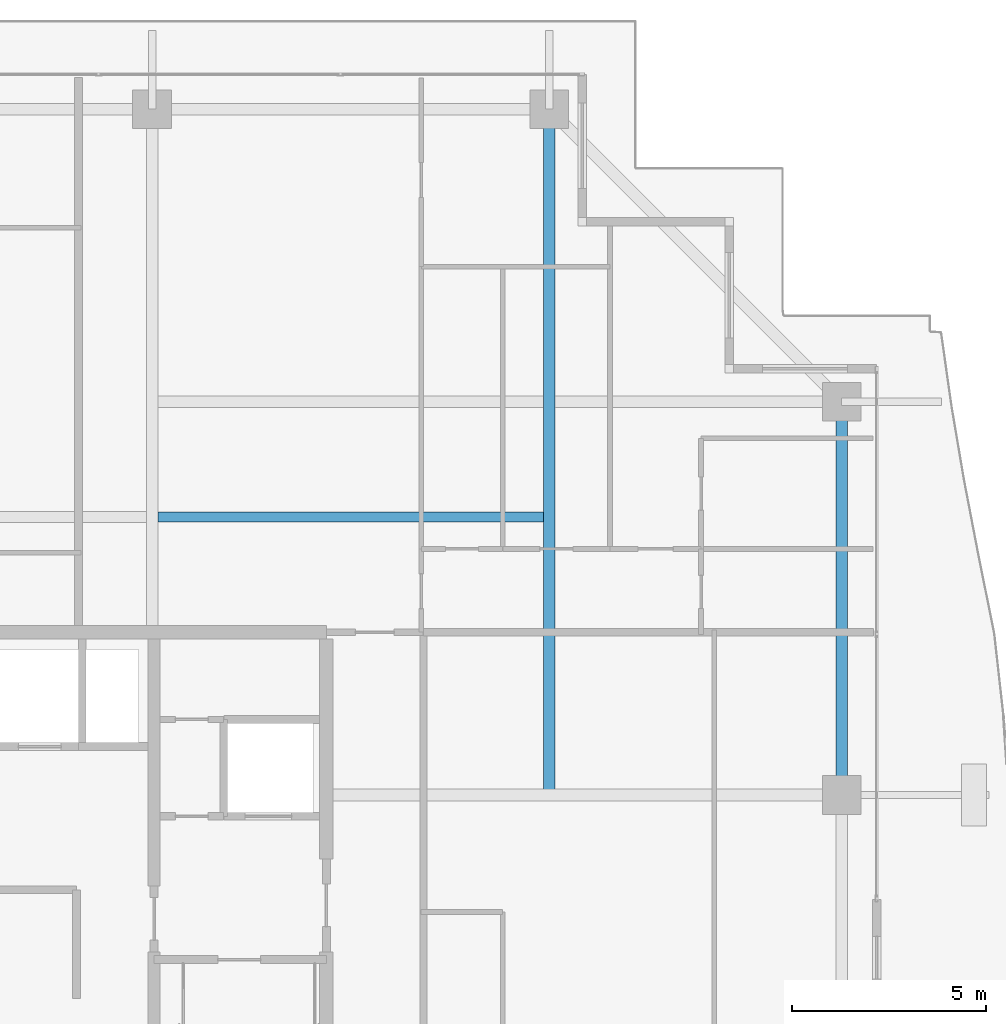
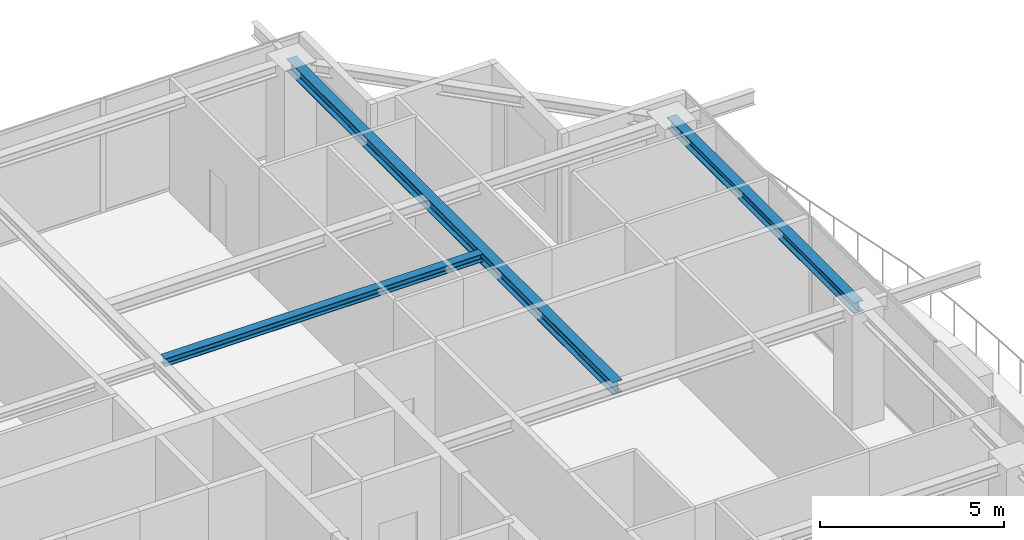
# One storey, part 25 of 42: 3 beams.
"""IFC4 building model written with IfcOpenShell, lengths in metres."""

import ifcopenshell
import ifcopenshell.guid

model = None  # the IFC model being written
_history = None  # IfcOwnerHistory: only IFC2X3 demands one
_inside = {}  # id of a spatial element -> (the spatial element, [elements in it])
_under = {}  # id of a project, library or spatial element -> (it, [spatial elements below it])
_declared = {}  # id of a project -> (the project, [libraries it declares])
_typed = {}  # id of a type object -> (the type object, [elements of that type])
_made_of = {}  # id of a material, layer set ... -> (it, [elements and type objects made of it])


def new_model(schema):
    """Start an empty IFC model of exactly this schema.

    Asked for "IFC4X3", IfcOpenShell would pick the latest addendum, in which some entities
    have other attributes; the version numbers below select the first issue.
    IFC2X3 requires an IfcOwnerHistory on every rooted entity: one is made here for all.
    """
    global model, _history
    if schema == "IFC4X3":
        model = ifcopenshell.file(schema_version=(4, 3, 0, 0))
    else:
        model = ifcopenshell.file(schema=schema)
    _inside.clear()
    _under.clear()
    _declared.clear()
    _typed.clear()
    _made_of.clear()
    _history = None
    if model.schema == "IFC2X3":
        org = make("IfcOrganization", Name="unknown")
        user = make(
            "IfcPersonAndOrganization",
            ThePerson=make("IfcPerson", FamilyName="unknown"),
            TheOrganization=org,
        )
        app = make(
            "IfcApplication",
            ApplicationDeveloper=org,
            Version="unknown",
            ApplicationFullName="unknown",
            ApplicationIdentifier="unknown",
        )
        _history = make(
            "IfcOwnerHistory",
            OwningUser=user,
            OwningApplication=app,
            ChangeAction="ADDED",
            CreationDate=0,
        )
    return model


def make(cls, **values):
    """One entity of the class cls with the attributes given. An attribute that is None is left unset."""
    return model.create_entity(
        cls, **{name: value for name, value in values.items() if value is not None}
    )


def rooted(cls, **values):
    """An entity with a GlobalId (a new one), such as an element, a storey or a relation."""
    return make(cls, GlobalId=ifcopenshell.guid.new(), OwnerHistory=_history, **values)


def si_unit(unit_type, name, prefix=None):
    """IfcSIUnit, for example si_unit("LENGTHUNIT", "METRE", prefix="MILLI")."""
    return make("IfcSIUnit", UnitType=unit_type, Prefix=prefix, Name=name)


def assignment(units):
    """IfcUnitAssignment: the units of a project."""
    return None if units is None else make("IfcUnitAssignment", Units=units)


def point(xyz):
    """IfcCartesianPoint."""
    return None if xyz is None else make("IfcCartesianPoint", Coordinates=xyz)


def direction(xyz):
    """IfcDirection."""
    return None if xyz is None else make("IfcDirection", DirectionRatios=xyz)


def frame(location, z_axis=None, x_axis=None):
    """IfcAxis2Placement3D, a coordinate frame: its origin and axes. An axis left out is left unset."""
    return make(
        "IfcAxis2Placement3D",
        Location=point(location),
        Axis=direction(z_axis),
        RefDirection=direction(x_axis),
    )


def frame_2d(location, x_axis=None):
    """IfcAxis2Placement2D, a coordinate frame in the plane: its origin and x axis."""
    return make(
        "IfcAxis2Placement2D", Location=point(location), RefDirection=direction(x_axis)
    )


def origin():
    """The frame at (0, 0, 0) with its axes left unset."""
    return frame((0.0, 0.0, 0.0))


def origin_2d():
    """The frame at (0, 0) in the plane with its x axis left unset."""
    return frame_2d((0.0, 0.0))


def place(relative_to, where):
    """IfcLocalPlacement: puts the frame where relative to a parent placement (None: the world)."""
    return make(
        "IfcLocalPlacement", PlacementRelTo=relative_to, RelativePlacement=where
    )


def context(
    kind, dimensions, precision=None, world=None, true_north=None, identifier=None
):
    """IfcGeometricRepresentationContext, for example the 3D "Model" context."""
    return make(
        "IfcGeometricRepresentationContext",
        ContextIdentifier=identifier,
        ContextType=kind,
        CoordinateSpaceDimension=dimensions,
        Precision=precision,
        WorldCoordinateSystem=world,
        TrueNorth=true_north,
    )


def subcontext(parent, identifier, kind, view, scale=None):
    """IfcGeometricRepresentationSubContext, for example "Body" below "Model"."""
    return make(
        "IfcGeometricRepresentationSubContext",
        ContextIdentifier=identifier,
        ContextType=kind,
        ParentContext=parent,
        TargetScale=scale,
        TargetView=view,
    )


def project(units=None, contexts=None):
    """IfcProject with its units and contexts."""
    return rooted(
        "IfcProject",
        Name="project",
        RepresentationContexts=contexts,
        UnitsInContext=assignment(units),
    )


def spatial(cls, under=None, at=None, **own):
    """A site, building, storey or space (cls), placed at a placement, below another one or the project."""
    s = rooted(cls, ObjectPlacement=at, **own)
    if under is not None:
        _under.setdefault(under.id(), (under, []))[1].append(s)
    return s


def profile(cls, at=None, kind="AREA", **sizes):
    """A parametric profile (cls). Its sizes go by their IFC names, for example OverallWidth=200.0."""
    return make(cls, ProfileType=kind, Position=at, **sizes)


def i_section(**sizes):
    """IfcIShapeProfileDef."""
    return profile("IfcIShapeProfileDef", **sizes)


def extrude(swept, where, along, depth):
    """IfcExtrudedAreaSolid: the profile swept, set in the frame where, extruded along a direction by depth."""
    return make(
        "IfcExtrudedAreaSolid",
        SweptArea=swept,
        Position=where,
        ExtrudedDirection=direction(along),
        Depth=depth,
    )


def shape(context_of_items, identifier, shape_type, items):
    """IfcShapeRepresentation: the items that make up one representation, for example the "Body"."""
    return make(
        "IfcShapeRepresentation",
        ContextOfItems=context_of_items,
        RepresentationIdentifier=identifier,
        RepresentationType=shape_type,
        Items=items,
    )


def source(mapping_origin, context_of_items, identifier, shape_type, items):
    """IfcRepresentationMap: a shape defined once, which mapped items show again and again."""
    return make(
        "IfcRepresentationMap",
        MappingOrigin=mapping_origin,
        MappedRepresentation=shape(context_of_items, identifier, shape_type, items),
    )


def transform(
    local_origin,
    x_axis=None,
    y_axis=None,
    z_axis=None,
    scale=None,
    scale2=None,
    scale3=None,
    uniform=True,
):
    """IfcCartesianTransformationOperator3D, or its non-uniform kind. x_axis, y_axis, z_axis: its Axis1, 2, 3."""
    if uniform:
        return make(
            "IfcCartesianTransformationOperator3D",
            Axis1=direction(x_axis),
            Axis2=direction(y_axis),
            LocalOrigin=point(local_origin),
            Scale=scale,
            Axis3=direction(z_axis),
        )
    return make(
        "IfcCartesianTransformationOperator3DnonUniform",
        Axis1=direction(x_axis),
        Axis2=direction(y_axis),
        LocalOrigin=point(local_origin),
        Scale=scale,
        Axis3=direction(z_axis),
        Scale2=scale2,
        Scale3=scale3,
    )


def mapped(mapping_source, mapping_target):
    """IfcMappedItem: shows the shape of a source again, moved by a transform."""
    return make(
        "IfcMappedItem", MappingSource=mapping_source, MappingTarget=mapping_target
    )


def material(Name=None, Category=None):
    """IfcMaterial."""
    return make("IfcMaterial", Name=Name, Category=Category)


def material_profile(
    of_material, cross_section, Name=None, Category=None, Priority=None
):
    """IfcMaterialProfile: a cross section and its material."""
    return make(
        "IfcMaterialProfile",
        Name=Name,
        Material=of_material,
        Profile=cross_section,
        Priority=Priority,
        Category=Category,
    )


def profile_set(profiles, Name=None, composite=None):
    """IfcMaterialProfileSet."""
    return make(
        "IfcMaterialProfileSet",
        Name=Name,
        MaterialProfiles=profiles,
        CompositeProfile=composite,
    )


def made_of(thing, what):
    """Note that an element or type object is made of a material, layer set ...; save() writes the relation."""
    if what is not None:
        _made_of.setdefault(what.id(), (what, []))[1].append(thing)
    return thing


def type_object(cls, material=None, **own):
    """A type object (cls), such as IfcWallType, which elements share."""
    return made_of(rooted(cls, **own), material)


def element(
    cls,
    number,
    at=None,
    inside=None,
    cuts=None,
    type_object=None,
    material=None,
    context=None,
    identifier="Body",
    shape_type=None,
    held_by="IfcProductDefinitionShape",
    body=None,
    shapes=None,
    **own,
):
    """One element of the class cls, such as IfcWall. Its Tag is "e" and its number.

    at: its placement. inside: the storey or other place that contains it. cuts: it is an
    opening in that element (IfcRelVoidsElement). A single representation is given by context,
    identifier, shape_type and body (its items); several are given by shapes. held_by: the class
    of the entity that holds the representations. save() writes the other relations.
    """
    e = rooted(cls, Tag="e%d" % number, ObjectPlacement=at, **own)
    if body is not None:
        shapes = [shape(context, identifier, shape_type, body)]
    if shapes is not None:
        e.Representation = make(held_by, Representations=shapes)
    if inside is not None:
        _inside.setdefault(inside.id(), (inside, []))[1].append(e)
    if cuts is not None:
        rooted(
            "IfcRelVoidsElement", RelatingBuildingElement=cuts, RelatedOpeningElement=e
        )
    if type_object is not None:
        _typed.setdefault(type_object.id(), (type_object, []))[1].append(e)
    return made_of(e, material)


def aggregate(whole, parts):
    """IfcRelAggregates: a whole, such as a stair, and the parts it consists of."""
    return rooted("IfcRelAggregates", RelatingObject=whole, RelatedObjects=parts)


def save(model, path):
    """Write the relations noted so far, then the file.

    IfcRelAggregates (storeys below a building ...), IfcRelContainedInSpatialStructure (elements
    in a storey), IfcRelDefinesByType, IfcRelAssociatesMaterial and IfcRelDeclares: one each for
    every whole, place, type object, material and project.
    """
    for whole, parts in _under.values():
        aggregate(whole, parts)
    for where, things in _inside.values():
        rooted(
            "IfcRelContainedInSpatialStructure",
            RelatedElements=things,
            RelatingStructure=where,
        )
    for kind, things in _typed.values():
        rooted("IfcRelDefinesByType", RelatedObjects=things, RelatingType=kind)
    for what, things in _made_of.values():
        rooted("IfcRelAssociatesMaterial", RelatedObjects=things, RelatingMaterial=what)
    for by, libraries in _declared.values():
        rooted("IfcRelDeclares", RelatingContext=by, RelatedDefinitions=libraries)
    model.write(path)


model = new_model("IFC4")

# Units and contexts
model_context = context("Model", 3, precision=1e-05, world=origin(), true_north=direction((0.0, 1.0)))
body_context = subcontext(model_context, "Body", "Model", "MODEL_VIEW")
ifc_project = project(units=[si_unit("LENGTHUNIT", "METRE"), si_unit("AREAUNIT", "SQUARE_METRE"), si_unit("VOLUMEUNIT", "CUBIC_METRE"), si_unit("PLANEANGLEUNIT", "RADIAN"), si_unit("MASSUNIT", "GRAM", prefix="KILO")], contexts=[model_context])

# Site, building, storey
site_placement = place(None, origin())
site = spatial("IfcSite", under=ifc_project, at=site_placement, CompositionType="ELEMENT")
building_placement = place(site_placement, origin())
building = spatial("IfcBuilding", under=site, at=building_placement, Name="Serunith Strait Residences", CompositionType="ELEMENT")
storey_placement = place(building_placement, frame((0.0, 0.0, 293.449951171875)))
storey = spatial("IfcBuildingStorey", under=building, at=storey_placement, Name="L73", CompositionType="ELEMENT", Elevation=293.449951171875)

# Beams
ifc_material = material(Name="Steel S355J2", Category="steel")
ifc_material_profile_1 = material_profile(ifc_material, i_section(OverallWidth=0.300048828125, OverallDepth=0.39990234375, WebThickness=0.013427734375, FlangeThickness=0.02392578125, FilletRadius=0.027099609375, at=origin_2d()), Name="HEB 400")
ifc_profile_set_1 = profile_set([ifc_material_profile_1], Name="Steel S355J2")
beam_type_1 = type_object("IfcBeamType", Name="BM-HEB400", PredefinedType="BEAM", material=ifc_profile_set_1)
shared_shape_1 = source(origin(), body_context, "Body", "SweptSolid", [
    extrude(i_section(OverallWidth=0.300048828125, OverallDepth=0.39990234375, WebThickness=0.013427734375, FlangeThickness=0.02392578125, FilletRadius=0.027099609375, at=origin_2d()), origin(), (0.0, 0.0, 1.0), 17.7001953125),
])
beam_1_placement = place(storey_placement, frame((47.14990234375, 29.39990234375, 3.587158203125), z_axis=(0.0, 1.0, 0.0), x_axis=(-1.0, 0.0, 0.0)))
element("IfcBeam", 1, at=beam_1_placement, inside=storey, type_object=beam_type_1, Name="L73 Orthogonal Corner Girder TC-N4", PredefinedType="BEAM", context=body_context, shape_type="MappedRepresentation", body=[
    mapped(shared_shape_1, transform((0.0, 0.0, 0.0), scale=1.0)),
])
ifc_material_profile_2 = material_profile(ifc_material, i_section(OverallWidth=0.300048828125, OverallDepth=0.360107421875, WebThickness=0.012451171875, FlangeThickness=0.0224609375, FilletRadius=0.027099609375, at=origin_2d()), Name="HEB 360")
ifc_profile_set_2 = profile_set([ifc_material_profile_2], Name="Steel S355J2")
beam_type_2 = type_object("IfcBeamType", Name="BM-HEB360", PredefinedType="BEAM", material=ifc_profile_set_2)
shared_shape_2 = source(origin(), body_context, "Body", "SweptSolid", [
    extrude(i_section(OverallWidth=0.300048828125, OverallDepth=0.360107421875, WebThickness=0.012451171875, FlangeThickness=0.0224609375, FilletRadius=0.027099609375, at=origin_2d()), origin(), (0.0, 0.0, 1.0), 10.150146484375),
])
beam_2_placement = place(storey_placement, frame((54.699951171875, 29.39990234375, 3.60693359375), z_axis=(0.0, 1.0, 0.0), x_axis=(-1.0, 0.0, 0.0)))
element("IfcBeam", 2, at=beam_2_placement, inside=storey, type_object=beam_type_2, Name="L73 Perimeter Ring Beam 07", PredefinedType="BEAM", context=body_context, shape_type="MappedRepresentation", body=[
    mapped(shared_shape_2, transform((0.0, 0.0, 0.0), scale=1.0)),
])
ifc_material_profile_3 = material_profile(ifc_material, i_section(OverallWidth=0.260009765625, OverallDepth=0.260009765625, WebThickness=0.010009765625, FlangeThickness=0.017578125, FilletRadius=0.02392578125, at=origin_2d()), Name="HEB 260")
ifc_profile_set_3 = profile_set([ifc_material_profile_3], Name="Steel S355J2")
beam_type_3 = type_object("IfcBeamType", Name="BM-HEB260", PredefinedType="JOIST", material=ifc_profile_set_3)
shared_shape_3 = source(origin(), body_context, "Body", "SweptSolid", [
    extrude(i_section(OverallWidth=0.260009765625, OverallDepth=0.260009765625, WebThickness=0.010009765625, FlangeThickness=0.017578125, FilletRadius=0.02392578125, at=origin_2d()), origin(), (0.0, 0.0, 1.0), 9.949951171875),
])
beam_3_placement = place(storey_placement, frame((37.050048828125, 36.574951171875, 3.656982421875), z_axis=(1.0, 0.0, 0.0), x_axis=(0.0, 1.0, 0.0)))
element("IfcBeam", 3, at=beam_3_placement, inside=storey, type_object=beam_type_3, Name="L73 Composite Floor Joist 06", PredefinedType="JOIST", context=body_context, shape_type="MappedRepresentation", body=[
    mapped(shared_shape_3, transform((0.0, 0.0, 0.0), scale=1.0)),
])

save(model, "model.ifc")
